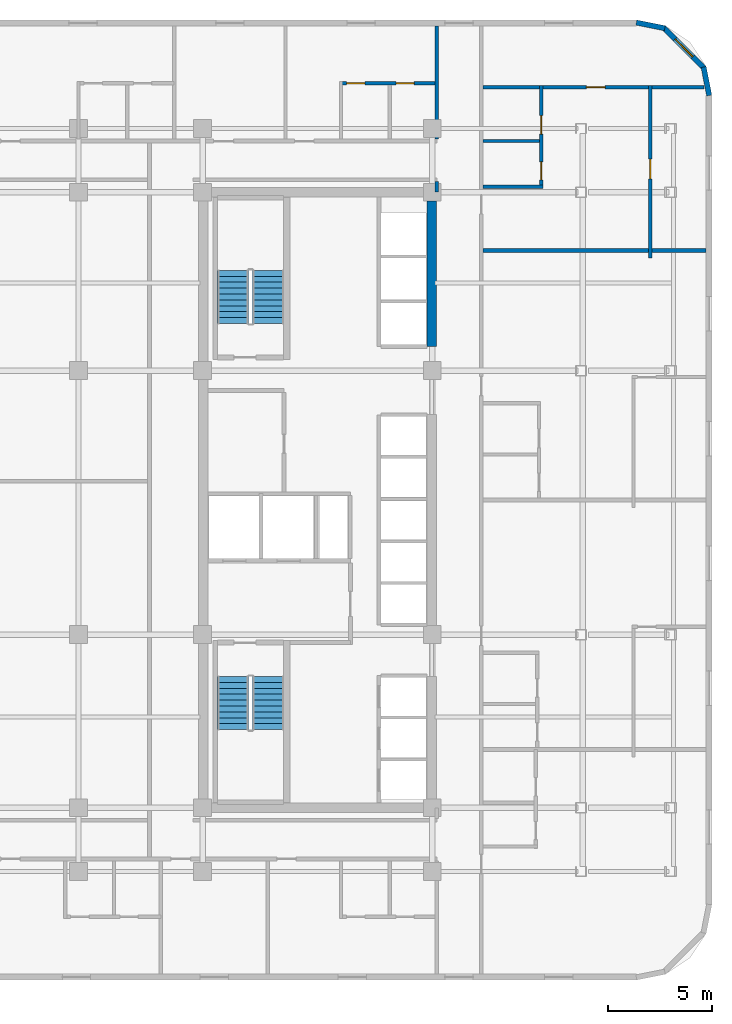
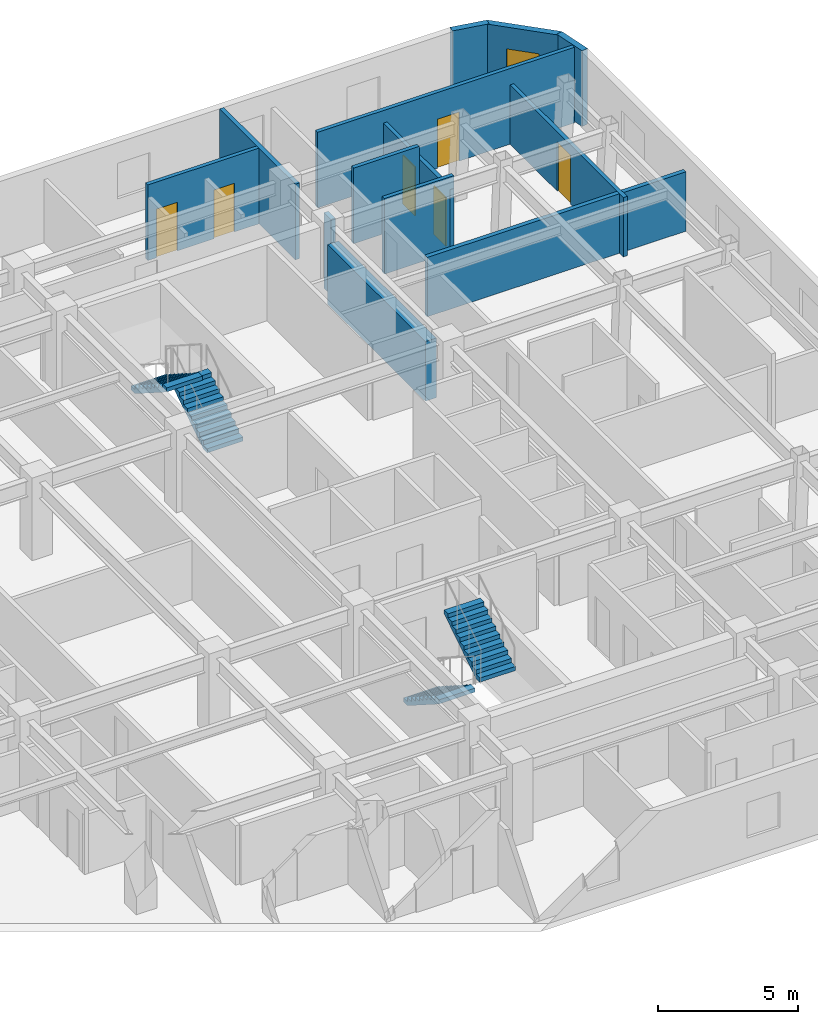
# One storey, part 10 of 11: 13 walls, 6 doors, 4 stair flights, 1 window, 7 openings, 2 elements without a shape of their own.
"""IFC4 building model written with IfcOpenShell, lengths in metres."""

import ifcopenshell
import ifcopenshell.guid

model = None  # the IFC model being written
_history = None  # IfcOwnerHistory: only IFC2X3 demands one
_inside = {}  # id of a spatial element -> (the spatial element, [elements in it])
_under = {}  # id of a project, library or spatial element -> (it, [spatial elements below it])
_declared = {}  # id of a project -> (the project, [libraries it declares])
_typed = {}  # id of a type object -> (the type object, [elements of that type])
_made_of = {}  # id of a material, layer set ... -> (it, [elements and type objects made of it])


def new_model(schema):
    """Start an empty IFC model of exactly this schema.

    Asked for "IFC4X3", IfcOpenShell would pick the latest addendum, in which some entities
    have other attributes; the version numbers below select the first issue.
    IFC2X3 requires an IfcOwnerHistory on every rooted entity: one is made here for all.
    """
    global model, _history
    if schema == "IFC4X3":
        model = ifcopenshell.file(schema_version=(4, 3, 0, 0))
    else:
        model = ifcopenshell.file(schema=schema)
    _inside.clear()
    _under.clear()
    _declared.clear()
    _typed.clear()
    _made_of.clear()
    _history = None
    if model.schema == "IFC2X3":
        org = make("IfcOrganization", Name="unknown")
        user = make(
            "IfcPersonAndOrganization",
            ThePerson=make("IfcPerson", FamilyName="unknown"),
            TheOrganization=org,
        )
        app = make(
            "IfcApplication",
            ApplicationDeveloper=org,
            Version="unknown",
            ApplicationFullName="unknown",
            ApplicationIdentifier="unknown",
        )
        _history = make(
            "IfcOwnerHistory",
            OwningUser=user,
            OwningApplication=app,
            ChangeAction="ADDED",
            CreationDate=0,
        )
    return model


def make(cls, **values):
    """One entity of the class cls with the attributes given. An attribute that is None is left unset."""
    return model.create_entity(
        cls, **{name: value for name, value in values.items() if value is not None}
    )


def rooted(cls, **values):
    """An entity with a GlobalId (a new one), such as an element, a storey or a relation."""
    return make(cls, GlobalId=ifcopenshell.guid.new(), OwnerHistory=_history, **values)


def si_unit(unit_type, name, prefix=None):
    """IfcSIUnit, for example si_unit("LENGTHUNIT", "METRE", prefix="MILLI")."""
    return make("IfcSIUnit", UnitType=unit_type, Prefix=prefix, Name=name)


def assignment(units):
    """IfcUnitAssignment: the units of a project."""
    return None if units is None else make("IfcUnitAssignment", Units=units)


def point(xyz):
    """IfcCartesianPoint."""
    return None if xyz is None else make("IfcCartesianPoint", Coordinates=xyz)


def direction(xyz):
    """IfcDirection."""
    return None if xyz is None else make("IfcDirection", DirectionRatios=xyz)


def frame(location, z_axis=None, x_axis=None):
    """IfcAxis2Placement3D, a coordinate frame: its origin and axes. An axis left out is left unset."""
    return make(
        "IfcAxis2Placement3D",
        Location=point(location),
        Axis=direction(z_axis),
        RefDirection=direction(x_axis),
    )


def frame_2d(location, x_axis=None):
    """IfcAxis2Placement2D, a coordinate frame in the plane: its origin and x axis."""
    return make(
        "IfcAxis2Placement2D", Location=point(location), RefDirection=direction(x_axis)
    )


def origin():
    """The frame at (0, 0, 0) with its axes left unset."""
    return frame((0.0, 0.0, 0.0))


def place(relative_to, where):
    """IfcLocalPlacement: puts the frame where relative to a parent placement (None: the world)."""
    return make(
        "IfcLocalPlacement", PlacementRelTo=relative_to, RelativePlacement=where
    )


def context(
    kind, dimensions, precision=None, world=None, true_north=None, identifier=None
):
    """IfcGeometricRepresentationContext, for example the 3D "Model" context."""
    return make(
        "IfcGeometricRepresentationContext",
        ContextIdentifier=identifier,
        ContextType=kind,
        CoordinateSpaceDimension=dimensions,
        Precision=precision,
        WorldCoordinateSystem=world,
        TrueNorth=true_north,
    )


def subcontext(parent, identifier, kind, view, scale=None):
    """IfcGeometricRepresentationSubContext, for example "Body" below "Model"."""
    return make(
        "IfcGeometricRepresentationSubContext",
        ContextIdentifier=identifier,
        ContextType=kind,
        ParentContext=parent,
        TargetScale=scale,
        TargetView=view,
    )


def project(units=None, contexts=None):
    """IfcProject with its units and contexts."""
    return rooted(
        "IfcProject",
        Name="project",
        RepresentationContexts=contexts,
        UnitsInContext=assignment(units),
    )


def spatial(cls, under=None, at=None, **own):
    """A site, building, storey or space (cls), placed at a placement, below another one or the project."""
    s = rooted(cls, ObjectPlacement=at, **own)
    if under is not None:
        _under.setdefault(under.id(), (under, []))[1].append(s)
    return s


def polyline(points):
    """IfcPolyline through the points."""
    return make("IfcPolyline", Points=[point(p) for p in points])


def profile(cls, at=None, kind="AREA", **sizes):
    """A parametric profile (cls). Its sizes go by their IFC names, for example OverallWidth=200.0."""
    return make(cls, ProfileType=kind, Position=at, **sizes)


def rectangle(**sizes):
    """IfcRectangleProfileDef."""
    return profile("IfcRectangleProfileDef", **sizes)


def outline(outer, holes=None, kind="AREA"):
    """IfcArbitraryClosedProfileDef: a profile drawn as a closed curve; with holes, ...WithVoids."""
    if holes is None:
        return make("IfcArbitraryClosedProfileDef", ProfileType=kind, OuterCurve=outer)
    return make(
        "IfcArbitraryProfileDefWithVoids",
        ProfileType=kind,
        OuterCurve=outer,
        InnerCurves=holes,
    )


def extrude(swept, where, along, depth):
    """IfcExtrudedAreaSolid: the profile swept, set in the frame where, extruded along a direction by depth."""
    return make(
        "IfcExtrudedAreaSolid",
        SweptArea=swept,
        Position=where,
        ExtrudedDirection=direction(along),
        Depth=depth,
    )


def shape(context_of_items, identifier, shape_type, items):
    """IfcShapeRepresentation: the items that make up one representation, for example the "Body"."""
    return make(
        "IfcShapeRepresentation",
        ContextOfItems=context_of_items,
        RepresentationIdentifier=identifier,
        RepresentationType=shape_type,
        Items=items,
    )


def material(Name=None, Category=None):
    """IfcMaterial."""
    return make("IfcMaterial", Name=Name, Category=Category)


def layer(
    of_material, thickness, ventilated=None, Name=None, Category=None, Priority=None
):
    """IfcMaterialLayer: one layer of a wall or slab, of a material (None: an air gap)."""
    return make(
        "IfcMaterialLayer",
        Material=of_material,
        LayerThickness=thickness,
        IsVentilated=ventilated,
        Name=Name,
        Category=Category,
        Priority=Priority,
    )


def layer_set(layers, Name=None):
    """IfcMaterialLayerSet."""
    return make("IfcMaterialLayerSet", MaterialLayers=layers, LayerSetName=Name)


def made_of(thing, what):
    """Note that an element or type object is made of a material, layer set ...; save() writes the relation."""
    if what is not None:
        _made_of.setdefault(what.id(), (what, []))[1].append(thing)
    return thing


def type_object(cls, material=None, **own):
    """A type object (cls), such as IfcWallType, which elements share."""
    return made_of(rooted(cls, **own), material)


def element(
    cls,
    number,
    at=None,
    inside=None,
    cuts=None,
    type_object=None,
    material=None,
    context=None,
    identifier="Body",
    shape_type=None,
    held_by="IfcProductDefinitionShape",
    body=None,
    shapes=None,
    **own,
):
    """One element of the class cls, such as IfcWall. Its Tag is "e" and its number.

    at: its placement. inside: the storey or other place that contains it. cuts: it is an
    opening in that element (IfcRelVoidsElement). A single representation is given by context,
    identifier, shape_type and body (its items); several are given by shapes. held_by: the class
    of the entity that holds the representations. save() writes the other relations.
    """
    e = rooted(cls, Tag="e%d" % number, ObjectPlacement=at, **own)
    if body is not None:
        shapes = [shape(context, identifier, shape_type, body)]
    if shapes is not None:
        e.Representation = make(held_by, Representations=shapes)
    if inside is not None:
        _inside.setdefault(inside.id(), (inside, []))[1].append(e)
    if cuts is not None:
        rooted(
            "IfcRelVoidsElement", RelatingBuildingElement=cuts, RelatedOpeningElement=e
        )
    if type_object is not None:
        _typed.setdefault(type_object.id(), (type_object, []))[1].append(e)
    return made_of(e, material)


def fill(opening, filler):
    """IfcRelFillsElement: the door or window that sits in an opening."""
    return rooted(
        "IfcRelFillsElement",
        RelatingOpeningElement=opening,
        RelatedBuildingElement=filler,
    )


def aggregate(whole, parts):
    """IfcRelAggregates: a whole, such as a stair, and the parts it consists of."""
    return rooted("IfcRelAggregates", RelatingObject=whole, RelatedObjects=parts)


def save(model, path):
    """Write the relations noted so far, then the file.

    IfcRelAggregates (storeys below a building ...), IfcRelContainedInSpatialStructure (elements
    in a storey), IfcRelDefinesByType, IfcRelAssociatesMaterial and IfcRelDeclares: one each for
    every whole, place, type object, material and project.
    """
    for whole, parts in _under.values():
        aggregate(whole, parts)
    for where, things in _inside.values():
        rooted(
            "IfcRelContainedInSpatialStructure",
            RelatedElements=things,
            RelatingStructure=where,
        )
    for kind, things in _typed.values():
        rooted("IfcRelDefinesByType", RelatedObjects=things, RelatingType=kind)
    for what, things in _made_of.values():
        rooted("IfcRelAssociatesMaterial", RelatedObjects=things, RelatingMaterial=what)
    for by, libraries in _declared.values():
        rooted("IfcRelDeclares", RelatingContext=by, RelatedDefinitions=libraries)
    model.write(path)


model = new_model("IFC4")

# Units and contexts
model_context = context("Model", 3, precision=1e-05, world=origin(), true_north=direction((0.0, 1.0)))
body_context = subcontext(model_context, "Body", "Model", "MODEL_VIEW")
ifc_project = project(units=[si_unit("LENGTHUNIT", "METRE"), si_unit("AREAUNIT", "SQUARE_METRE"), si_unit("VOLUMEUNIT", "CUBIC_METRE"), si_unit("PLANEANGLEUNIT", "RADIAN"), si_unit("MASSUNIT", "GRAM", prefix="KILO")], contexts=[model_context])

# Site, building, storey
site_placement = place(None, origin())
site = spatial("IfcSite", under=ifc_project, at=site_placement, CompositionType="ELEMENT")
building_placement = place(site_placement, origin())
building = spatial("IfcBuilding", under=site, at=building_placement, Name="Ochreholt Gables", CompositionType="ELEMENT")
storey_placement = place(building_placement, frame((0.0, 0.0, 67.800048828125)))
storey = spatial("IfcBuildingStorey", under=building, at=storey_placement, Name="L17", CompositionType="ELEMENT", Elevation=67.800048828125)

# Walls
ifc_material_1 = material(Name="Concrete 60 MPa", Category="concrete")
ifc_layer_1 = layer(ifc_material_1, 0.449951171875, Name="Concrete 60 MPa")
ifc_layer_set_1 = layer_set([ifc_layer_1], Name="Concrete 60 MPa")
wall_type_1 = type_object("IfcWallType", Name="WALL-CSW-450", PredefinedType="SHEAR", material=ifc_layer_set_1)
wall_1_placement = place(storey_placement, frame((35.175048828125, 31.35009765625, 0.0), z_axis=(0.0, 0.0, 1.0), x_axis=(0.0, 1.0, 0.0)))
element("IfcWall", 1, at=wall_1_placement, inside=storey, type_object=wall_type_1, Name="L17 Core North-East Shear Wall", PredefinedType="SHEAR", context=body_context, shape_type="SweptSolid", body=[
    extrude(rectangle(XDim=6.974853515625, YDim=0.449951171875, at=frame_2d((3.4873046875, 0.0))), origin(), (0.0, 0.0, 1.0), 2.60693359375),
])
ifc_material_2 = material(Name="Precast concrete 40 MPa", Category="concrete")
ifc_layer_2 = layer(ifc_material_2, 0.25, Name="Precast concrete 40 MPa")
ifc_layer_set_2 = layer_set([ifc_layer_2], Name="Precast concrete 40 MPa")
wall_type_2 = type_object("IfcWallType", Name="WALL-EXT-CNR", PredefinedType="SOLIDWALL", material=ifc_layer_set_2)
wall_2_placement = place(storey_placement, frame((48.475830078125, 43.383544921875, 0.0), z_axis=(0.0, 0.0, 1.0), x_axis=(-0.19496651342, 0.980809899341, 0.0)))
element("IfcWall", 2, at=wall_2_placement, inside=storey, type_object=wall_type_2, Name="L17 Rounded Corner Wall NE-1", PredefinedType="SOLIDWALL", context=body_context, shape_type="SweptSolid", body=[
    extrude(rectangle(XDim=1.388671875, YDim=0.25, at=frame_2d((0.6943359375, 0.0))), origin(), (0.0, 0.0, 1.0), 3.300048828125),
])

# Wall, opening, window
wall_3_placement = place(storey_placement, frame((48.23193359375, 44.695068359375, 0.0), z_axis=(0.0, 0.0, 1.0), x_axis=(-0.707106781187, 0.707106781187, 0.0)))
wall_3 = element("IfcWall", 3, at=wall_3_placement, inside=storey, type_object=wall_type_2, Name="L17 Rounded Corner Wall NE-2", PredefinedType="SOLIDWALL", context=body_context, shape_type="SweptSolid", body=[
    extrude(rectangle(XDim=2.7392578125, YDim=0.25, at=frame_2d((1.36962890625, 0.0))), origin(), (0.0, 0.0, 1.0), 3.300048828125),
])
opening_1_placement = place(wall_3_placement, frame((0.769775390625, 0.0, 0.85009765625)))
opening_1 = element("IfcOpeningElement", 4, at=opening_1_placement, cuts=wall_3, Name="Opening WN-3", PredefinedType="OPENING", context=body_context, shape_type="SweptSolid", body=[
    extrude(rectangle(XDim=1.199951171875, YDim=1.5, at=frame_2d((0.60009765625, 0.75))), frame((0.0, 0.135009765625, 0.0), z_axis=(0.0, -1.0, 0.0), x_axis=(1.0, 0.0, 0.0)), (0.0, 0.0, 1.0), 0.27001953125),
])
ifc_material_3 = material(Name="Triple-Glazed Thermally Broken Aluminium Window", Category="aluminium")
window_type = type_object("IfcWindowType", Name="WIN-RES-1200", PartitioningType="SINGLE_PANEL", PredefinedType="WINDOW", material=ifc_material_3)
window_placement = place(opening_1_placement, origin())
window = element("IfcWindow", 5, at=window_placement, inside=storey, type_object=window_type, Name="L17 Corner Bedroom Window NE", OverallHeight=1.5, OverallWidth=1.199951171875, PartitioningType="SINGLE_PANEL", PredefinedType="WINDOW", context=body_context, shape_type="SweptSolid", body=[
    extrude(rectangle(XDim=1.199951171875, YDim=1.5, at=frame_2d((0.60009765625, 0.75))), frame((0.0, 0.030029296875, 0.0), z_axis=(0.0, -1.0, 0.0), x_axis=(1.0, 0.0, 0.0)), (0.0, 0.0, 1.0), 0.06005859375),
])
fill(opening_1, window)

# Walls
wall_4_placement = place(storey_placement, frame((46.345458984375, 46.60498046875, 0.0), z_axis=(0.0, 0.0, 1.0), x_axis=(-0.980809899341, 0.19496651342, 0.0)))
element("IfcWall", 6, at=wall_4_placement, inside=storey, type_object=wall_type_2, Name="L17 Rounded Corner Wall NE-3", PredefinedType="SOLIDWALL", context=body_context, shape_type="SweptSolid", body=[
    extrude(rectangle(XDim=1.388671875, YDim=0.25, at=frame_2d((0.6943359375, 0.0))), origin(), (0.0, 0.0, 1.0), 3.300048828125),
])
ifc_material_4 = material(Name="Fire-Rated Gypsum Acoustic Partition", Category="gypsum")
ifc_layer_3 = layer(ifc_material_4, 0.179931640625, Name="Fire-Rated Gypsum Acoustic Partition")
ifc_layer_set_3 = layer_set([ifc_layer_3], Name="Fire-Rated Gypsum Acoustic Partition")
wall_type_3 = type_object("IfcWallType", Name="WALL-INT-CR180", PredefinedType="STANDARD", material=ifc_layer_set_3)
wall_5_placement = place(storey_placement, frame((35.419921875, 38.75, 0.0), z_axis=(0.0, 0.0, 1.0), x_axis=(0.0, 1.0, 0.0)))
element("IfcWall", 7, at=wall_5_placement, inside=storey, type_object=wall_type_3, Name="L17 Interior Wall WI-C1ENW2-L17", PredefinedType="STANDARD", context=body_context, shape_type="SweptSolid", body=[
    extrude(rectangle(XDim=0.510009765625, YDim=0.179931640625, at=frame_2d((0.2548828125, 0.0))), origin(), (0.0, 0.0, 1.0), 3.300048828125),
])
ifc_material_5 = material(Name="Double-Stud Acoustic Demising Wall", Category="gypsum")
ifc_layer_4 = layer(ifc_material_5, 0.179931640625, Name="Double-Stud Acoustic Demising Wall")
ifc_layer_set_4 = layer_set([ifc_layer_4], Name="Double-Stud Acoustic Demising Wall")
wall_type_4 = type_object("IfcWallType", Name="WALL-INT-DM180", PredefinedType="PARTITIONING", material=ifc_layer_set_4)
wall_6_placement = place(storey_placement, frame((35.419921875, 41.2900390625, 0.0), z_axis=(0.0, 0.0, 1.0), x_axis=(0.0, 1.0, 0.0)))
element("IfcWall", 8, at=wall_6_placement, inside=storey, type_object=wall_type_4, Name="L17 Interior Wall WI-C1ENW-L17", PredefinedType="PARTITIONING", context=body_context, shape_type="SweptSolid", body=[
    extrude(rectangle(XDim=5.419921875, YDim=0.179931640625, at=frame_2d((2.7099609375, 0.0))), origin(), (0.0, 0.0, 1.0), 3.300048828125),
])
wall_7_placement = place(storey_placement, frame((37.639892578125, 35.9599609375, 0.0), z_axis=(0.0, 0.0, 1.0), x_axis=(1.0, 0.0, 0.0)))
element("IfcWall", 9, at=wall_7_placement, inside=storey, type_object=wall_type_4, Name="L17 Interior Wall WI-UDE4-L17", PredefinedType="PARTITIONING", context=body_context, shape_type="SweptSolid", body=[
    extrude(rectangle(XDim=10.670166015625, YDim=0.179931640625, at=frame_2d((5.3349609375, 0.0))), origin(), (0.0, 0.0, 1.0), 2.5888671875),
])
ifc_material_6 = material(Name="Moisture-Resistant Plumbing Chase Wall", Category="gypsum")
ifc_layer_5 = layer(ifc_material_6, 0.159912109375, Name="Moisture-Resistant Plumbing Chase Wall")
ifc_layer_set_5 = layer_set([ifc_layer_5], Name="Moisture-Resistant Plumbing Chase Wall")
wall_type_5 = type_object("IfcWallType", Name="WALL-INT-PL160", PredefinedType="PLUMBINGWALL", material=ifc_layer_set_5)
wall_8_placement = place(storey_placement, frame((37.639892578125, 39.01171875, 0.0), z_axis=(0.0, 0.0, 1.0), x_axis=(1.0, 0.0, 0.0)))
element("IfcWall", 10, at=wall_8_placement, inside=storey, type_object=wall_type_5, Name="L17 Interior Wall WU-L17E4-FYS", PredefinedType="PLUMBINGWALL", context=body_context, shape_type="SweptSolid", body=[
    extrude(rectangle(XDim=2.864013671875, YDim=0.159912109375, at=frame_2d((1.43212890625, 0.0))), origin(), (0.0, 0.0, 1.0), 3.300048828125),
])

# Wall, openings, doors
wall_9_placement = place(storey_placement, frame((40.424072265625, 38.921630859375, 0.0), z_axis=(0.0, 0.0, 1.0), x_axis=(0.0, 1.0, 0.0)))
wall_9 = element("IfcWall", 11, at=wall_9_placement, inside=storey, type_object=wall_type_5, Name="L17 Interior Wall WU-L17E4-WX", PredefinedType="PLUMBINGWALL", context=body_context, shape_type="SweptSolid", body=[
    extrude(rectangle(XDim=4.944091796875, YDim=0.159912109375, at=frame_2d((2.47216796875, 0.0))), origin(), (0.0, 0.0, 1.0), 2.7490234375),
])
opening_2_placement = place(wall_9_placement, frame((0.419921875, 0.0, 0.0)))
opening_2 = element("IfcOpeningElement", 12, at=opening_2_placement, cuts=wall_9, Name="Opening D-BT1", PredefinedType="OPENING", context=body_context, shape_type="SweptSolid", body=[
    extrude(rectangle(XDim=0.860107421875, YDim=2.1201171875, at=frame_2d((0.43017578125, 1.06005859375))), frame((0.0, 0.08984375, 0.0), z_axis=(0.0, -1.0, 0.0), x_axis=(1.0, 0.0, 0.0)), (0.0, 0.0, 1.0), 0.179931640625),
])
opening_3_placement = place(wall_9_placement, frame((2.611328125, 0.0, 0.0)))
opening_3 = element("IfcOpeningElement", 13, at=opening_3_placement, cuts=wall_9, Name="Opening D-GN2", PredefinedType="OPENING", context=body_context, shape_type="SweptSolid", body=[
    extrude(rectangle(XDim=0.8798828125, YDim=2.1201171875, at=frame_2d((0.43994140625, 1.06005859375))), frame((0.0, 0.08984375, 0.0), z_axis=(0.0, -1.0, 0.0), x_axis=(1.0, 0.0, 0.0)), (0.0, 0.0, 1.0), 0.179931640625),
])
ifc_material_7 = material(Name="Engineered Oak Timber", Category="wood")
door_type_1 = type_object("IfcDoorType", Name="DR-INT-BTH860", OperationType="NOTDEFINED", PredefinedType="DOOR", material=ifc_material_7)
door_1_placement = place(opening_2_placement, origin())
door_1 = element("IfcDoor", 14, at=door_1_placement, inside=storey, type_object=door_type_1, Name="L17 Door D-U-L17E4-BTH", OperationType="SINGLE_SWING_RIGHT", OverallHeight=2.1201171875, OverallWidth=0.860107421875, PredefinedType="DOOR", context=body_context, shape_type="SweptSolid", body=[
    extrude(rectangle(XDim=0.860107421875, YDim=2.1201171875, at=frame_2d((0.43017578125, 1.06005859375))), frame((0.0, 0.02490234375, 0.0), z_axis=(0.0, -1.0, 0.0), x_axis=(1.0, 0.0, 0.0)), (0.0, 0.0, 1.0), 0.050048828125),
])
fill(opening_2, door_1)
door_type_2 = type_object("IfcDoorType", Name="DR-INT-GEN880", OperationType="NOTDEFINED", PredefinedType="DOOR", material=ifc_material_7)
door_2_placement = place(opening_3_placement, origin())
door_2 = element("IfcDoor", 15, at=door_2_placement, inside=storey, type_object=door_type_2, Name="L17 Door D-U-L17E4-KIT", OperationType="SINGLE_SWING_LEFT", OverallHeight=2.1201171875, OverallWidth=0.8798828125, PredefinedType="DOOR", context=body_context, shape_type="SweptSolid", body=[
    extrude(rectangle(XDim=0.8798828125, YDim=2.1201171875, at=frame_2d((0.43994140625, 1.06005859375))), frame((0.0, 0.02490234375, 0.0), z_axis=(0.0, -1.0, 0.0), x_axis=(1.0, 0.0, 0.0)), (0.0, 0.0, 1.0), 0.050048828125),
])
fill(opening_3, door_2)

# Wall
wall_10_placement = place(storey_placement, frame((37.639892578125, 41.203125, 0.0), z_axis=(0.0, 0.0, 1.0), x_axis=(1.0, 0.0, 0.0)))
element("IfcWall", 16, at=wall_10_placement, inside=storey, type_object=wall_type_5, Name="L17 Interior Wall WU-L17E4-WK", PredefinedType="PLUMBINGWALL", context=body_context, shape_type="SweptSolid", body=[
    extrude(rectangle(XDim=2.7041015625, YDim=0.159912109375, at=frame_2d((1.35205078125, 0.0))), origin(), (0.0, 0.0, 1.0), 3.300048828125),
])

# Wall, openings, doors
wall_11_placement = place(storey_placement, frame((30.75, 43.969970703125, 0.0), z_axis=(0.0, 0.0, 1.0), x_axis=(1.0, 0.0, 0.0)))
wall_11 = element("IfcWall", 17, at=wall_11_placement, inside=storey, type_object=wall_type_5, Name="L17 Interior Wall WU-L17N3-WY", PredefinedType="PLUMBINGWALL", context=body_context, shape_type="SweptSolid", body=[
    extrude(rectangle(XDim=4.580078125, YDim=0.159912109375, at=frame_2d((2.2900390625, 0.0))), origin(), (0.0, 0.0, 1.0), 3.300048828125),
])
opening_4_placement = place(wall_11_placement, frame((0.35009765625, 0.0, 0.0)))
opening_4 = element("IfcOpeningElement", 18, at=opening_4_placement, cuts=wall_11, Name="Opening D-GN2", PredefinedType="OPENING", context=body_context, shape_type="SweptSolid", body=[
    extrude(rectangle(XDim=0.8798828125, YDim=2.1201171875, at=frame_2d((0.43994140625, 1.06005859375))), frame((0.0, 0.08984375, 0.0), z_axis=(0.0, -1.0, 0.0), x_axis=(1.0, 0.0, 0.0)), (0.0, 0.0, 1.0), 0.179931640625),
])
opening_5_placement = place(wall_11_placement, frame((2.719970703125, 0.0, 0.0)))
opening_5 = element("IfcOpeningElement", 19, at=opening_5_placement, cuts=wall_11, Name="Opening D-BT1", PredefinedType="OPENING", context=body_context, shape_type="SweptSolid", body=[
    extrude(rectangle(XDim=0.860107421875, YDim=2.1201171875, at=frame_2d((0.43017578125, 1.06005859375))), frame((0.0, 0.08984375, 0.0), z_axis=(0.0, -1.0, 0.0), x_axis=(1.0, 0.0, 0.0)), (0.0, 0.0, 1.0), 0.179931640625),
])
door_3_placement = place(opening_5_placement, origin())
door_3 = element("IfcDoor", 20, at=door_3_placement, inside=storey, type_object=door_type_1, Name="L17 Door D-U-L17N3-BTH", OperationType="SINGLE_SWING_RIGHT", OverallHeight=2.1201171875, OverallWidth=0.860107421875, PredefinedType="DOOR", context=body_context, shape_type="SweptSolid", body=[
    extrude(rectangle(XDim=0.860107421875, YDim=2.1201171875, at=frame_2d((0.43017578125, 1.06005859375))), frame((0.0, 0.02490234375, 0.0), z_axis=(0.0, -1.0, 0.0), x_axis=(1.0, 0.0, 0.0)), (0.0, 0.0, 1.0), 0.050048828125),
])
fill(opening_5, door_3)
door_4_placement = place(opening_4_placement, origin())
door_4 = element("IfcDoor", 21, at=door_4_placement, inside=storey, type_object=door_type_2, Name="L17 Door D-U-L17N3-KIT", OperationType="SINGLE_SWING_LEFT", OverallHeight=2.1201171875, OverallWidth=0.8798828125, PredefinedType="DOOR", context=body_context, shape_type="SweptSolid", body=[
    extrude(rectangle(XDim=0.8798828125, YDim=2.1201171875, at=frame_2d((0.43994140625, 1.06005859375))), frame((0.0, 0.02490234375, 0.0), z_axis=(0.0, -1.0, 0.0), x_axis=(1.0, 0.0, 0.0)), (0.0, 0.0, 1.0), 0.050048828125),
])
fill(opening_4, door_4)

# Wall, opening, door
ifc_material_8 = material(Name="Gypsum Acoustic Stud Partition", Category="gypsum")
ifc_layer_6 = layer(ifc_material_8, 0.159912109375, Name="Gypsum Acoustic Stud Partition")
ifc_layer_set_6 = layer_set([ifc_layer_6], Name="Gypsum Acoustic Stud Partition")
wall_type_6 = type_object("IfcWallType", Name="WALL-INT-PT160", PredefinedType="PARTITIONING", material=ifc_layer_set_6)
wall_12_placement = place(storey_placement, frame((37.639892578125, 43.775634765625, 0.0), z_axis=(0.0, 0.0, 1.0), x_axis=(1.0, 0.0, 0.0)))
wall_12 = element("IfcWall", 22, at=wall_12_placement, inside=storey, type_object=wall_type_6, Name="L17 Interior Wall WU-L17E4-MN", PredefinedType="PARTITIONING", context=body_context, shape_type="SweptSolid", body=[
    extrude(rectangle(XDim=10.5947265625, YDim=0.159912109375, at=frame_2d((5.29736328125, 0.0))), origin(), (0.0, 0.0, 1.0), 3.300048828125),
])
opening_6_placement = place(wall_12_placement, frame((4.947021484375, 0.0, 0.0)))
opening_6 = element("IfcOpeningElement", 23, at=opening_6_placement, cuts=wall_12, Name="Opening D-BD1", PredefinedType="OPENING", context=body_context, shape_type="SweptSolid", body=[
    extrude(rectangle(XDim=0.89990234375, YDim=2.139892578125, at=frame_2d((0.449951171875, 1.06982421875))), frame((0.0, 0.08984375, 0.0), z_axis=(0.0, -1.0, 0.0), x_axis=(1.0, 0.0, 0.0)), (0.0, 0.0, 1.0), 0.179931640625),
])
door_type_3 = type_object("IfcDoorType", Name="DR-INT-BED900", OperationType="NOTDEFINED", PredefinedType="DOOR", material=ifc_material_7)
door_5_placement = place(opening_6_placement, origin())
door_5 = element("IfcDoor", 24, at=door_5_placement, inside=storey, type_object=door_type_3, Name="L17 Door D-U-L17E4-BD1", OperationType="SINGLE_SWING_RIGHT", OverallHeight=2.139892578125, OverallWidth=0.89990234375, PredefinedType="DOOR", context=body_context, shape_type="SweptSolid", body=[
    extrude(rectangle(XDim=0.89990234375, YDim=2.139892578125, at=frame_2d((0.449951171875, 1.06982421875))), frame((0.0, 0.02490234375, 0.0), z_axis=(0.0, -1.0, 0.0), x_axis=(1.0, 0.0, 0.0)), (0.0, 0.0, 1.0), 0.050048828125),
])
fill(opening_6, door_5)

wall_13_placement = place(storey_placement, frame((45.64990234375, 35.60009765625, 0.0), z_axis=(0.0, 0.0, 1.0), x_axis=(0.0, 1.0, 0.0)))
wall_13 = element("IfcWall", 25, at=wall_13_placement, inside=storey, type_object=wall_type_6, Name="L17 Interior Wall WU-L17E4-DNV", PredefinedType="PARTITIONING", context=body_context, shape_type="SweptSolid", body=[
    extrude(rectangle(XDim=8.255615234375, YDim=0.159912109375, at=frame_2d((4.1279296875, 0.0))), origin(), (0.0, 0.0, 1.0), 2.5888671875),
])
opening_7_placement = place(wall_13_placement, frame((3.787841796875, 0.0, 0.0)))
opening_7 = element("IfcOpeningElement", 26, at=opening_7_placement, cuts=wall_13, Name="Opening D-GN1", PredefinedType="OPENING", context=body_context, shape_type="SweptSolid", body=[
    extrude(rectangle(XDim=0.949951171875, YDim=2.14990234375, at=frame_2d((0.47509765625, 1.074951171875))), frame((0.0, 0.08984375, 0.0), z_axis=(0.0, -1.0, 0.0), x_axis=(1.0, 0.0, 0.0)), (0.0, 0.0, 1.0), 0.179931640625),
])
door_type_4 = type_object("IfcDoorType", Name="DR-INT-GEN950", OperationType="NOTDEFINED", PredefinedType="DOOR", material=ifc_material_7)
door_6_placement = place(opening_7_placement, origin())
door_6 = element("IfcDoor", 27, at=door_6_placement, inside=storey, type_object=door_type_4, Name="L17 Door D-U-L17E4-DIN", OperationType="SINGLE_SWING_RIGHT", OverallHeight=2.14990234375, OverallWidth=0.949951171875, PredefinedType="DOOR", context=body_context, shape_type="SweptSolid", body=[
    extrude(rectangle(XDim=0.949951171875, YDim=2.14990234375, at=frame_2d((0.47509765625, 1.074951171875))), frame((0.0, 0.02490234375, 0.0), z_axis=(0.0, -1.0, 0.0), x_axis=(1.0, 0.0, 0.0)), (0.0, 0.0, 1.0), 0.050048828125),
])
fill(opening_7, door_6)

# Stair, stair flights
ifc_material_9 = material(Name="Concrete 40 MPa", Category="concrete")
stair_type_1 = type_object("IfcStairType", Name="STAIR-CORE-ST-1", PredefinedType="HALF_TURN_STAIR", material=ifc_material_9)
stair_1_placement = place(storey_placement, origin())
stair_1 = element("IfcStair", 28, at=stair_1_placement, inside=storey, type_object=stair_type_1, Name="L17 Core Exit Stair 1", PredefinedType="HALF_TURN_STAIR")
stair_flight_type = type_object("IfcStairFlightType", Name="FLIGHT-ST-1480-1800", PredefinedType="STRAIGHT", material=ifc_material_9)
stair_flight_1_placement = place(storey_placement, frame((25.659912109375, 15.5400390625, 0.0), z_axis=(0.0, 0.0, 1.0), x_axis=(0.0, -1.0, 0.0)))
stair_flight_1 = element("IfcStairFlight", 29, at=stair_flight_1_placement, type_object=stair_flight_type, Name="ST-1 flight 1", NumberOfRisers=10, NumberOfTreads=9, PredefinedType="STRAIGHT", RiserHeight=0.18, TreadLength=0.282, context=body_context, shape_type="SweptSolid", body=[
    extrude(outline(polyline([(0.0, 0.0), (0.0, 0.179931640625), (0.281982421875, 0.179931640625), (0.281982421875, 0.360107421875), (0.56396484375, 0.360107421875), (0.56396484375, 0.5400390625), (0.845947265625, 0.5400390625), (0.845947265625, 0.719970703125), (1.1279296875, 0.719970703125), (1.1279296875, 0.89990234375), (1.409912109375, 0.89990234375), (1.409912109375, 1.080078125), (1.69189453125, 1.080078125), (1.69189453125, 1.260009765625), (1.97412109375, 1.260009765625), (1.97412109375, 1.43994140625), (2.256103515625, 1.43994140625), (2.256103515625, 1.6201171875), (2.5380859375, 1.6201171875), (2.5380859375, 1.800048828125), (2.5380859375, 1.442138671875), (0.278564453125, 0.0), (0.0, 0.0)])), frame((0.0, 0.739990234375, 0.0), z_axis=(0.0, -1.0, 0.0), x_axis=(1.0, 0.0, 0.0)), (0.0, 0.0, 1.0), 1.47998046875),
])
stair_flight_2_placement = place(storey_placement, frame((27.340087890625, 13.001953125, 1.800048828125), z_axis=(0.0, 0.0, 1.0), x_axis=(0.0, 1.0, 0.0)))
stair_flight_2 = element("IfcStairFlight", 30, at=stair_flight_2_placement, type_object=stair_flight_type, Name="ST-1 flight 2", NumberOfRisers=10, NumberOfTreads=9, PredefinedType="STRAIGHT", RiserHeight=0.18, TreadLength=0.282, context=body_context, shape_type="SweptSolid", body=[
    extrude(outline(polyline([(0.0, 0.0), (0.0, 0.179931640625), (0.281982421875, 0.179931640625), (0.281982421875, 0.360107421875), (0.56396484375, 0.360107421875), (0.56396484375, 0.5400390625), (0.845947265625, 0.5400390625), (0.845947265625, 0.719970703125), (1.1279296875, 0.719970703125), (1.1279296875, 0.89990234375), (1.409912109375, 0.89990234375), (1.409912109375, 1.080078125), (1.69189453125, 1.080078125), (1.69189453125, 1.260009765625), (1.97412109375, 1.260009765625), (1.97412109375, 1.43994140625), (2.256103515625, 1.43994140625), (2.256103515625, 1.6201171875), (2.5380859375, 1.6201171875), (2.5380859375, 1.800048828125), (2.5380859375, 1.442138671875), (0.278564453125, 0.0), (0.0, 0.0)])), frame((0.0, 0.739990234375, 0.0), z_axis=(0.0, -1.0, 0.0), x_axis=(1.0, 0.0, 0.0)), (0.0, 0.0, 1.0), 1.47998046875),
])
aggregate(stair_1, [stair_flight_1, stair_flight_2])

stair_type_2 = type_object("IfcStairType", Name="STAIR-CORE-ST-2", PredefinedType="HALF_TURN_STAIR", material=ifc_material_9)
stair_2_placement = place(storey_placement, origin())
stair_2 = element("IfcStair", 31, at=stair_2_placement, inside=storey, type_object=stair_type_2, Name="L17 Core Exit Stair 2", PredefinedType="HALF_TURN_STAIR")
stair_flight_3_placement = place(storey_placement, frame((27.340087890625, 32.4599609375, 0.0), z_axis=(0.0, 0.0, 1.0), x_axis=(0.0, 1.0, 0.0)))
stair_flight_3 = element("IfcStairFlight", 32, at=stair_flight_3_placement, type_object=stair_flight_type, Name="ST-2 flight 1", NumberOfRisers=10, NumberOfTreads=9, PredefinedType="STRAIGHT", RiserHeight=0.18, TreadLength=0.282, context=body_context, shape_type="SweptSolid", body=[
    extrude(outline(polyline([(0.0, 0.0), (0.0, 0.179931640625), (0.281982421875, 0.179931640625), (0.281982421875, 0.360107421875), (0.56396484375, 0.360107421875), (0.56396484375, 0.5400390625), (0.845947265625, 0.5400390625), (0.845947265625, 0.719970703125), (1.1279296875, 0.719970703125), (1.1279296875, 0.89990234375), (1.409912109375, 0.89990234375), (1.409912109375, 1.080078125), (1.69189453125, 1.080078125), (1.69189453125, 1.260009765625), (1.97412109375, 1.260009765625), (1.97412109375, 1.43994140625), (2.256103515625, 1.43994140625), (2.256103515625, 1.6201171875), (2.5380859375, 1.6201171875), (2.5380859375, 1.800048828125), (2.5380859375, 1.442138671875), (0.278564453125, 0.0), (0.0, 0.0)])), frame((0.0, 0.739990234375, 0.0), z_axis=(0.0, -1.0, 0.0), x_axis=(1.0, 0.0, 0.0)), (0.0, 0.0, 1.0), 1.47998046875),
])
stair_flight_4_placement = place(storey_placement, frame((25.659912109375, 34.998046875, 1.800048828125), z_axis=(0.0, 0.0, 1.0), x_axis=(0.0, -1.0, 0.0)))
stair_flight_4 = element("IfcStairFlight", 33, at=stair_flight_4_placement, type_object=stair_flight_type, Name="ST-2 flight 2", NumberOfRisers=10, NumberOfTreads=9, PredefinedType="STRAIGHT", RiserHeight=0.18, TreadLength=0.282, context=body_context, shape_type="SweptSolid", body=[
    extrude(outline(polyline([(0.0, 0.0), (0.0, 0.179931640625), (0.281982421875, 0.179931640625), (0.281982421875, 0.360107421875), (0.56396484375, 0.360107421875), (0.56396484375, 0.5400390625), (0.845947265625, 0.5400390625), (0.845947265625, 0.719970703125), (1.1279296875, 0.719970703125), (1.1279296875, 0.89990234375), (1.409912109375, 0.89990234375), (1.409912109375, 1.080078125), (1.69189453125, 1.080078125), (1.69189453125, 1.260009765625), (1.97412109375, 1.260009765625), (1.97412109375, 1.43994140625), (2.256103515625, 1.43994140625), (2.256103515625, 1.6201171875), (2.5380859375, 1.6201171875), (2.5380859375, 1.800048828125), (2.5380859375, 1.442138671875), (0.278564453125, 0.0), (0.0, 0.0)])), frame((0.0, 0.739990234375, 0.0), z_axis=(0.0, -1.0, 0.0), x_axis=(1.0, 0.0, 0.0)), (0.0, 0.0, 1.0), 1.47998046875),
])
aggregate(stair_2, [stair_flight_3, stair_flight_4])

save(model, "model.ifc")
